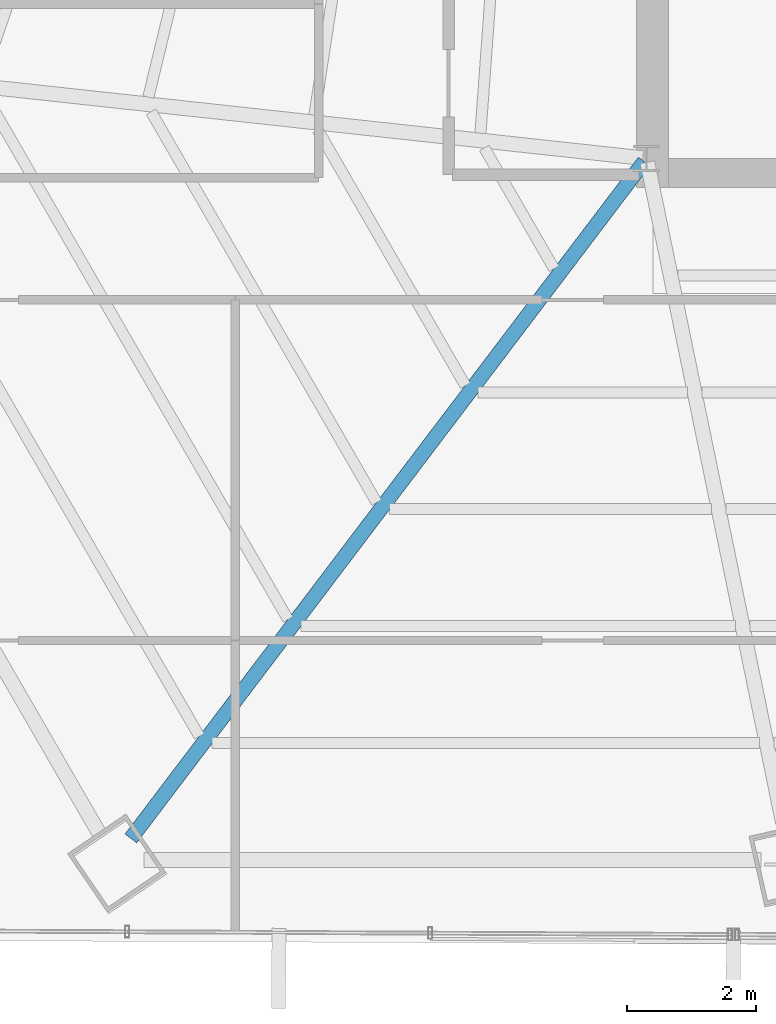
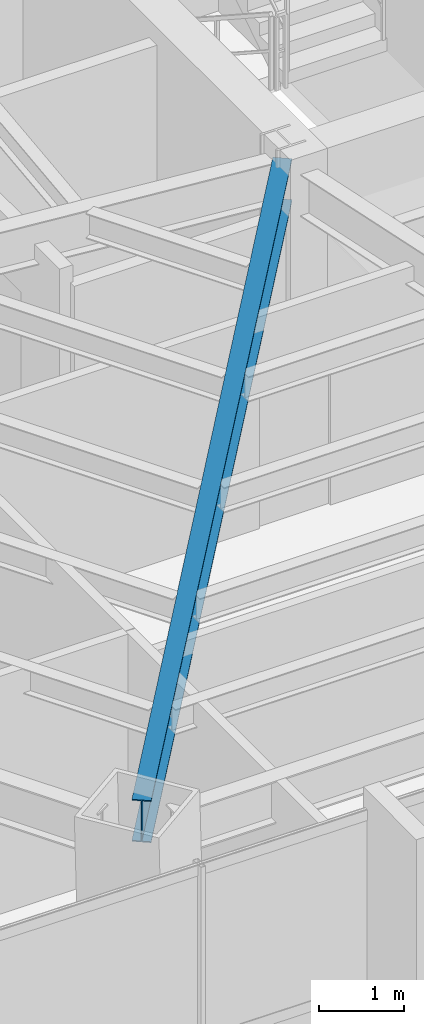
# One storey, part 5 of 35: 1 beam.
"""IFC4 building model written with IfcOpenShell, lengths in metres."""

from ifc_helpers import new_model, si_unit, direction, frame, origin, origin_2d, place, context, subcontext, project, spatial, i_section, extrude, source, transform, mapped, material, material_profile, profile_set, type_object, type_shapes, element, save


model = new_model("IFC4")

# Units and contexts
model_context = context("Model", 3, precision=1e-05, world=origin(), true_north=direction((0.0, 1.0)))
body_context = subcontext(model_context, "Body", "Model", "MODEL_VIEW")
ifc_project = project(units=[si_unit("LENGTHUNIT", "METRE"), si_unit("AREAUNIT", "SQUARE_METRE"), si_unit("VOLUMEUNIT", "CUBIC_METRE"), si_unit("PLANEANGLEUNIT", "RADIAN"), si_unit("MASSUNIT", "GRAM", prefix="KILO")], contexts=[model_context])

# Site, building, storey
site_placement = place(None, origin())
site = spatial("IfcSite", under=ifc_project, at=site_placement, CompositionType="ELEMENT")
building_placement = place(site_placement, origin())
building = spatial("IfcBuilding", under=site, at=building_placement, Name="Caelisora Broadcast Tower", CompositionType="ELEMENT")
storey_placement = place(building_placement, frame((0.0, 0.0, 109.050048828125)))
storey = spatial("IfcBuildingStorey", under=building, at=storey_placement, Name="L28", CompositionType="ELEMENT", Elevation=109.050048828125)

# Beam
ifc_material = material(Name="Steel Grade 350 (AS/NZS 3679.1)", Category="steel")
ifc_material_profile = material_profile(ifc_material, i_section(OverallWidth=0.22802734375, OverallDepth=0.602294921875, WebThickness=0.010498046875, FlangeThickness=0.014892578125, at=origin_2d()), Name="Steel Grade 350 (AS/NZS 3679.1)")
ifc_profile_set = profile_set([ifc_material_profile], Name="Steel Grade 350 (AS/NZS 3679.1)")
beam_type = type_object("IfcBeamType", Name="PG04", PredefinedType="BEAM", material=ifc_profile_set)
shared_shape = source(origin(), body_context, "Body", "SweptSolid", [
    extrude(i_section(OverallWidth=0.22802734375, OverallDepth=0.602294921875, WebThickness=0.010498046875, FlangeThickness=0.014892578125, at=origin_2d()), origin(), (0.0, 0.0, 1.0), 13.21875),
])
type_shapes(beam_type, [shared_shape])
beam_placement = place(storey_placement, frame((30.463623046875, 17.352294921875, 3.098876953125), z_axis=(-0.60431452542, -0.796745853059, 0.0), x_axis=(0.796745853059, -0.60431452542, 0.0)))
element("IfcBeam", 1, at=beam_placement, inside=storey, type_object=beam_type, Name="L28 beam PG04", PredefinedType="BEAM", context=body_context, shape_type="MappedRepresentation", body=[
    mapped(shared_shape, transform((0.0, 0.0, 0.0), scale=1.0)),
])

save(model, "model.ifc")
